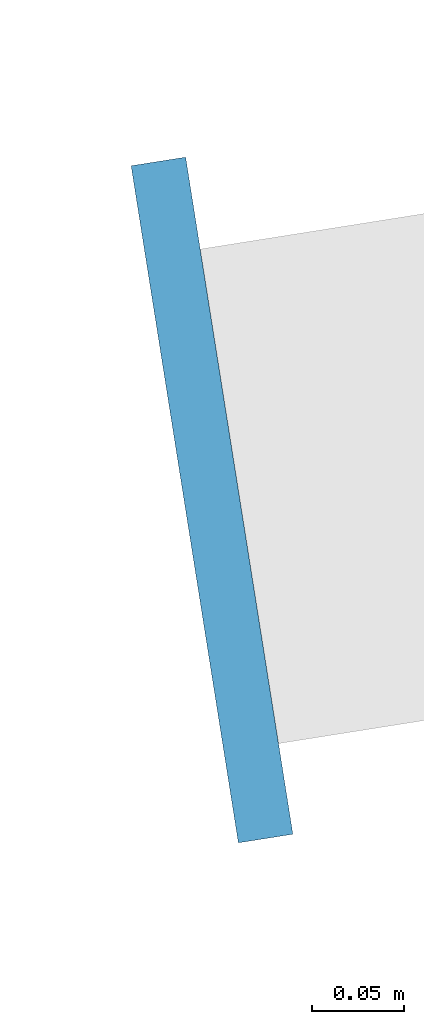
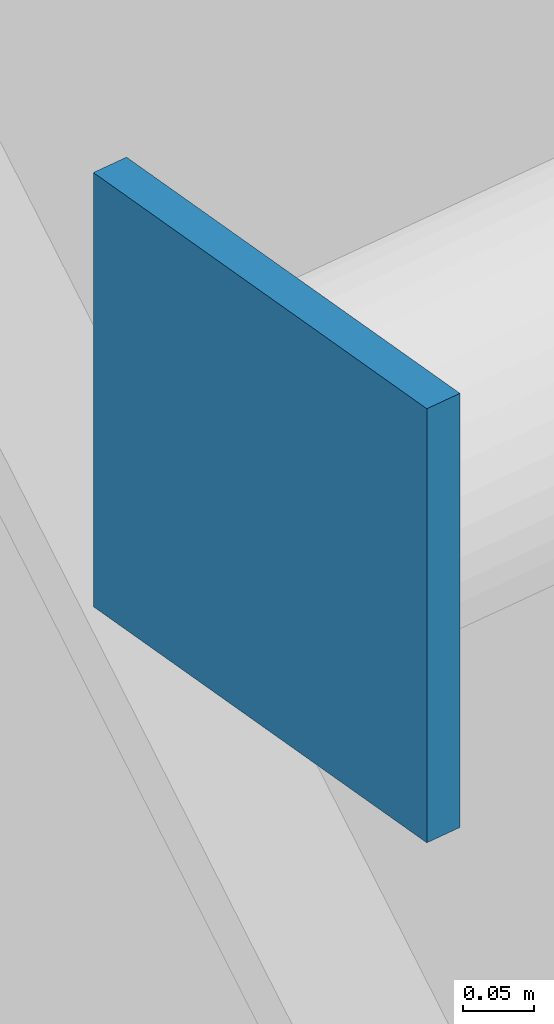
# One storey, part 14 of 20: 1 discrete accessory.
"""IFC4 building model written with IfcOpenShell, lengths in metres."""

from ifc_helpers import new_model, si_unit, direction, frame, origin, origin_2d, place, context, subcontext, project, spatial, rectangle, extrude, material, element, save


model = new_model("IFC4")

# Units and contexts
model_context = context("Model", 3, precision=1e-05, world=origin(), true_north=direction((0.0, 1.0)))
body_context = subcontext(model_context, "Body", "Model", "MODEL_VIEW")
ifc_project = project(units=[si_unit("LENGTHUNIT", "METRE"), si_unit("AREAUNIT", "SQUARE_METRE"), si_unit("VOLUMEUNIT", "CUBIC_METRE"), si_unit("PLANEANGLEUNIT", "RADIAN"), si_unit("MASSUNIT", "GRAM", prefix="KILO")], contexts=[model_context])

# Site, building, storey
site_placement = place(None, origin())
site = spatial("IfcSite", under=ifc_project, at=site_placement, CompositionType="ELEMENT")
building_placement = place(site_placement, origin())
building = spatial("IfcBuilding", under=site, at=building_placement, Name="Entoto Ring Tower", CompositionType="ELEMENT")
storey_placement = place(building_placement, frame((0.0, 0.0, 330.0)))
storey = spatial("IfcBuildingStorey", under=building, at=storey_placement, Name="L76", CompositionType="ELEMENT", Elevation=330.0)

# Discrete accessory
ifc_material = material(Name="Steel S355", Category="steel")
discrete_accessory_placement = place(storey_placement, frame((57.78662109375, 74.89794921875, 5.52685546875), z_axis=(0.0, 0.0, 1.0), x_axis=(-0.987688340595, -0.15643446504, 0.0)))
element("IfcDiscreteAccessory", 1, at=discrete_accessory_placement, inside=storey, material=ifc_material, Name="Node strut end plate DS2 ring 25 10", PredefinedType="BRACKET", context=body_context, shape_type="SweptSolid", body=[
    extrude(rectangle(XDim=0.030029296875, YDim=0.373046875, at=origin_2d()), origin(), (0.0, 0.0, 1.0), 0.373046875),
])

save(model, "model.ifc")
